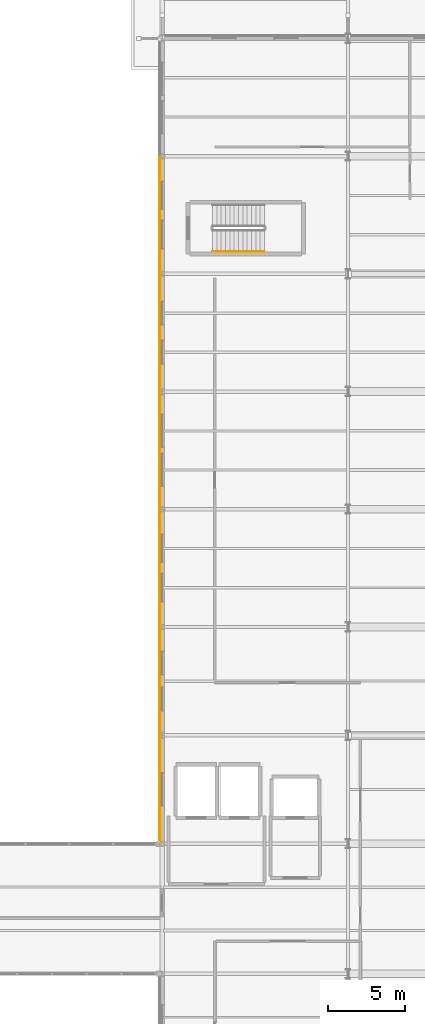
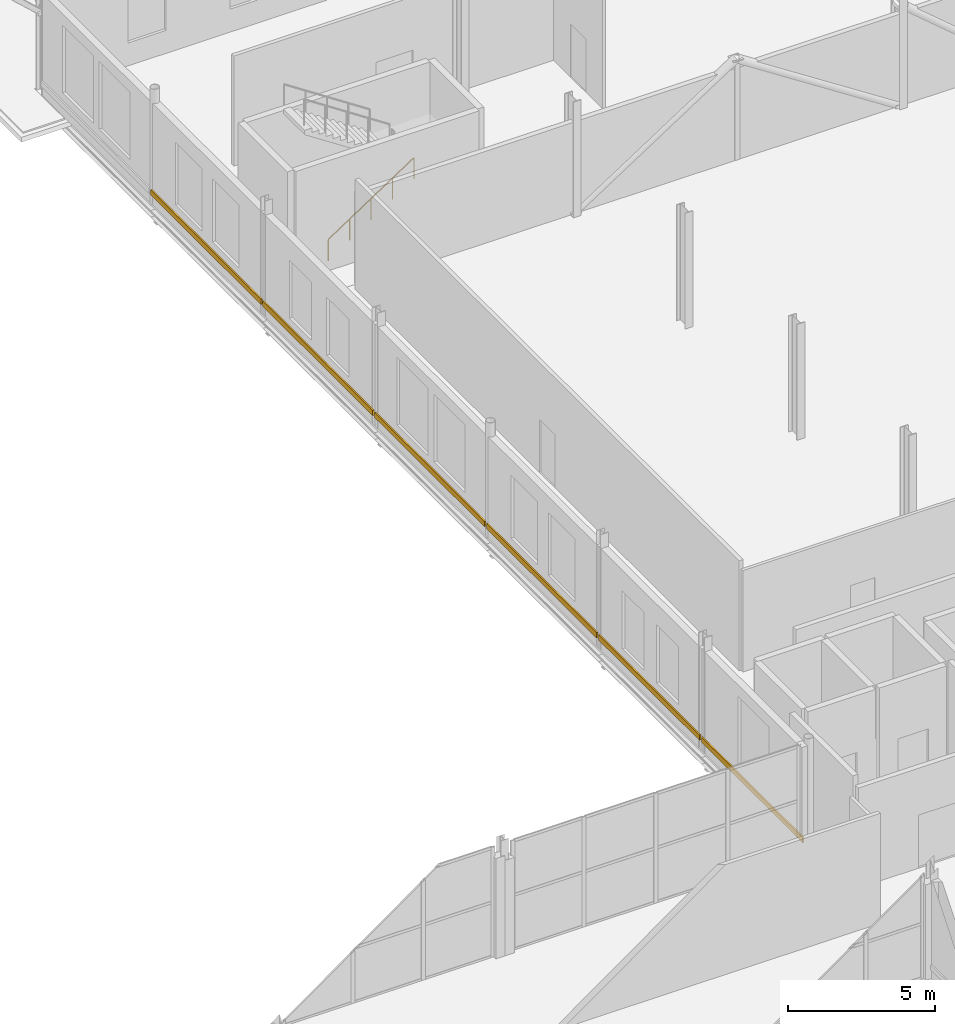
# One storey, part 118 of 120: 6 coverings, 1 railing.
"""IFC4 building model written with IfcOpenShell, lengths in metres."""

import ifcopenshell
import ifcopenshell.guid

model = None  # the IFC model being written
_history = None  # IfcOwnerHistory: only IFC2X3 demands one
_inside = {}  # id of a spatial element -> (the spatial element, [elements in it])
_under = {}  # id of a project, library or spatial element -> (it, [spatial elements below it])
_declared = {}  # id of a project -> (the project, [libraries it declares])
_typed = {}  # id of a type object -> (the type object, [elements of that type])
_made_of = {}  # id of a material, layer set ... -> (it, [elements and type objects made of it])


def new_model(schema):
    """Start an empty IFC model of exactly this schema.

    Asked for "IFC4X3", IfcOpenShell would pick the latest addendum, in which some entities
    have other attributes; the version numbers below select the first issue.
    IFC2X3 requires an IfcOwnerHistory on every rooted entity: one is made here for all.
    """
    global model, _history
    if schema == "IFC4X3":
        model = ifcopenshell.file(schema_version=(4, 3, 0, 0))
    else:
        model = ifcopenshell.file(schema=schema)
    _inside.clear()
    _under.clear()
    _declared.clear()
    _typed.clear()
    _made_of.clear()
    _history = None
    if model.schema == "IFC2X3":
        org = make("IfcOrganization", Name="unknown")
        user = make(
            "IfcPersonAndOrganization",
            ThePerson=make("IfcPerson", FamilyName="unknown"),
            TheOrganization=org,
        )
        app = make(
            "IfcApplication",
            ApplicationDeveloper=org,
            Version="unknown",
            ApplicationFullName="unknown",
            ApplicationIdentifier="unknown",
        )
        _history = make(
            "IfcOwnerHistory",
            OwningUser=user,
            OwningApplication=app,
            ChangeAction="ADDED",
            CreationDate=0,
        )
    return model


def make(cls, **values):
    """One entity of the class cls with the attributes given. An attribute that is None is left unset."""
    return model.create_entity(
        cls, **{name: value for name, value in values.items() if value is not None}
    )


def rooted(cls, **values):
    """An entity with a GlobalId (a new one), such as an element, a storey or a relation."""
    return make(cls, GlobalId=ifcopenshell.guid.new(), OwnerHistory=_history, **values)


def si_unit(unit_type, name, prefix=None):
    """IfcSIUnit, for example si_unit("LENGTHUNIT", "METRE", prefix="MILLI")."""
    return make("IfcSIUnit", UnitType=unit_type, Prefix=prefix, Name=name)


def assignment(units):
    """IfcUnitAssignment: the units of a project."""
    return None if units is None else make("IfcUnitAssignment", Units=units)


def point(xyz):
    """IfcCartesianPoint."""
    return None if xyz is None else make("IfcCartesianPoint", Coordinates=xyz)


def direction(xyz):
    """IfcDirection."""
    return None if xyz is None else make("IfcDirection", DirectionRatios=xyz)


def frame(location, z_axis=None, x_axis=None):
    """IfcAxis2Placement3D, a coordinate frame: its origin and axes. An axis left out is left unset."""
    return make(
        "IfcAxis2Placement3D",
        Location=point(location),
        Axis=direction(z_axis),
        RefDirection=direction(x_axis),
    )


def frame_2d(location, x_axis=None):
    """IfcAxis2Placement2D, a coordinate frame in the plane: its origin and x axis."""
    return make(
        "IfcAxis2Placement2D", Location=point(location), RefDirection=direction(x_axis)
    )


def origin():
    """The frame at (0, 0, 0) with its axes left unset."""
    return frame((0.0, 0.0, 0.0))


def origin_2d():
    """The frame at (0, 0) in the plane with its x axis left unset."""
    return frame_2d((0.0, 0.0))


def place(relative_to, where):
    """IfcLocalPlacement: puts the frame where relative to a parent placement (None: the world)."""
    return make(
        "IfcLocalPlacement", PlacementRelTo=relative_to, RelativePlacement=where
    )


def context(
    kind, dimensions, precision=None, world=None, true_north=None, identifier=None
):
    """IfcGeometricRepresentationContext, for example the 3D "Model" context."""
    return make(
        "IfcGeometricRepresentationContext",
        ContextIdentifier=identifier,
        ContextType=kind,
        CoordinateSpaceDimension=dimensions,
        Precision=precision,
        WorldCoordinateSystem=world,
        TrueNorth=true_north,
    )


def subcontext(parent, identifier, kind, view, scale=None):
    """IfcGeometricRepresentationSubContext, for example "Body" below "Model"."""
    return make(
        "IfcGeometricRepresentationSubContext",
        ContextIdentifier=identifier,
        ContextType=kind,
        ParentContext=parent,
        TargetScale=scale,
        TargetView=view,
    )


def project(units=None, contexts=None):
    """IfcProject with its units and contexts."""
    return rooted(
        "IfcProject",
        Name="project",
        RepresentationContexts=contexts,
        UnitsInContext=assignment(units),
    )


def spatial(cls, under=None, at=None, **own):
    """A site, building, storey or space (cls), placed at a placement, below another one or the project."""
    s = rooted(cls, ObjectPlacement=at, **own)
    if under is not None:
        _under.setdefault(under.id(), (under, []))[1].append(s)
    return s


def profile(cls, at=None, kind="AREA", **sizes):
    """A parametric profile (cls). Its sizes go by their IFC names, for example OverallWidth=200.0."""
    return make(cls, ProfileType=kind, Position=at, **sizes)


def rectangle(**sizes):
    """IfcRectangleProfileDef."""
    return profile("IfcRectangleProfileDef", **sizes)


def circle(**sizes):
    """IfcCircleProfileDef."""
    return profile("IfcCircleProfileDef", **sizes)


def extrude(swept, where, along, depth):
    """IfcExtrudedAreaSolid: the profile swept, set in the frame where, extruded along a direction by depth."""
    return make(
        "IfcExtrudedAreaSolid",
        SweptArea=swept,
        Position=where,
        ExtrudedDirection=direction(along),
        Depth=depth,
    )


def shape(context_of_items, identifier, shape_type, items):
    """IfcShapeRepresentation: the items that make up one representation, for example the "Body"."""
    return make(
        "IfcShapeRepresentation",
        ContextOfItems=context_of_items,
        RepresentationIdentifier=identifier,
        RepresentationType=shape_type,
        Items=items,
    )


def material(Name=None, Category=None):
    """IfcMaterial."""
    return make("IfcMaterial", Name=Name, Category=Category)


def layer(
    of_material, thickness, ventilated=None, Name=None, Category=None, Priority=None
):
    """IfcMaterialLayer: one layer of a wall or slab, of a material (None: an air gap)."""
    return make(
        "IfcMaterialLayer",
        Material=of_material,
        LayerThickness=thickness,
        IsVentilated=ventilated,
        Name=Name,
        Category=Category,
        Priority=Priority,
    )


def layer_set(layers, Name=None):
    """IfcMaterialLayerSet."""
    return make("IfcMaterialLayerSet", MaterialLayers=layers, LayerSetName=Name)


def made_of(thing, what):
    """Note that an element or type object is made of a material, layer set ...; save() writes the relation."""
    if what is not None:
        _made_of.setdefault(what.id(), (what, []))[1].append(thing)
    return thing


def type_object(cls, material=None, **own):
    """A type object (cls), such as IfcWallType, which elements share."""
    return made_of(rooted(cls, **own), material)


def element(
    cls,
    number,
    at=None,
    inside=None,
    cuts=None,
    type_object=None,
    material=None,
    context=None,
    identifier="Body",
    shape_type=None,
    held_by="IfcProductDefinitionShape",
    body=None,
    shapes=None,
    **own,
):
    """One element of the class cls, such as IfcWall. Its Tag is "e" and its number.

    at: its placement. inside: the storey or other place that contains it. cuts: it is an
    opening in that element (IfcRelVoidsElement). A single representation is given by context,
    identifier, shape_type and body (its items); several are given by shapes. held_by: the class
    of the entity that holds the representations. save() writes the other relations.
    """
    e = rooted(cls, Tag="e%d" % number, ObjectPlacement=at, **own)
    if body is not None:
        shapes = [shape(context, identifier, shape_type, body)]
    if shapes is not None:
        e.Representation = make(held_by, Representations=shapes)
    if inside is not None:
        _inside.setdefault(inside.id(), (inside, []))[1].append(e)
    if cuts is not None:
        rooted(
            "IfcRelVoidsElement", RelatingBuildingElement=cuts, RelatedOpeningElement=e
        )
    if type_object is not None:
        _typed.setdefault(type_object.id(), (type_object, []))[1].append(e)
    return made_of(e, material)


def aggregate(whole, parts):
    """IfcRelAggregates: a whole, such as a stair, and the parts it consists of."""
    return rooted("IfcRelAggregates", RelatingObject=whole, RelatedObjects=parts)


def save(model, path):
    """Write the relations noted so far, then the file.

    IfcRelAggregates (storeys below a building ...), IfcRelContainedInSpatialStructure (elements
    in a storey), IfcRelDefinesByType, IfcRelAssociatesMaterial and IfcRelDeclares: one each for
    every whole, place, type object, material and project.
    """
    for whole, parts in _under.values():
        aggregate(whole, parts)
    for where, things in _inside.values():
        rooted(
            "IfcRelContainedInSpatialStructure",
            RelatedElements=things,
            RelatingStructure=where,
        )
    for kind, things in _typed.values():
        rooted("IfcRelDefinesByType", RelatedObjects=things, RelatingType=kind)
    for what, things in _made_of.values():
        rooted("IfcRelAssociatesMaterial", RelatedObjects=things, RelatingMaterial=what)
    for by, libraries in _declared.values():
        rooted("IfcRelDeclares", RelatingContext=by, RelatedDefinitions=libraries)
    model.write(path)


model = new_model("IFC4")

# Units and contexts
model_context = context("Model", 3, precision=1e-05, world=origin(), true_north=direction((0.0, 1.0)))
body_context = subcontext(model_context, "Body", "Model", "MODEL_VIEW")
ifc_project = project(units=[si_unit("LENGTHUNIT", "METRE"), si_unit("AREAUNIT", "SQUARE_METRE"), si_unit("VOLUMEUNIT", "CUBIC_METRE"), si_unit("PLANEANGLEUNIT", "RADIAN"), si_unit("MASSUNIT", "GRAM", prefix="KILO")], contexts=[model_context])

# Site, building, storey
site_placement = place(None, origin())
site = spatial("IfcSite", under=ifc_project, at=site_placement, CompositionType="ELEMENT")
building_placement = place(site_placement, origin())
building = spatial("IfcBuilding", under=site, at=building_placement, Name="Vekula Escarpment Museum", CompositionType="ELEMENT")
storey_placement = place(building_placement, frame((0.0, 0.0, 13.199951171875)))
storey = spatial("IfcBuildingStorey", under=building, at=storey_placement, Name="L03", CompositionType="ELEMENT", Elevation=13.199951171875)

# Coverings
ifc_material_1 = material(Name="Polychrome limestone almasik string-course band", Category="masonry")
ifc_layer = layer(ifc_material_1, 0.06005859375)
ifc_layer_set = layer_set([ifc_layer], Name="Polychrome limestone almasik string-course band")
covering_type = type_object("IfcCoveringType", Name="COV-ALM-BAND", PredefinedType="CLADDING", material=ifc_layer_set)
for number, where, z_axis, x_axis, name in (
    (1, (166.833984375, 117.0, 0.41015625), (0.0, 0.0, 1.0), (0.0, 1.0, 0.0), "Almasik Stone String Course L03-0531"),
    (2, (166.833984375, 109.39990234375, 0.41015625), (0.0, 0.0, 1.0), (0.0, 1.0, 0.0), "Almasik Stone String Course L03-0532"),
    (3, (166.833984375, 101.800048828125, 0.41015625), (0.0, 0.0, 1.0), (0.0, 1.0, 0.0), "Almasik Stone String Course L03-0533"),
    (4, (166.833984375, 94.199951171875, 0.41015625), (0.0, 0.0, 1.0), (0.0, 1.0, 0.0), "Almasik Stone String Course L03-0534"),
):
    element("IfcCovering", number, at=place(storey_placement, frame(where, z_axis=z_axis, x_axis=x_axis)), inside=storey, type_object=covering_type, Name=name, PredefinedType="CLADDING", context=body_context, shape_type="SweptSolid", body=[
        extrude(rectangle(XDim=7.47998046875, YDim=0.06005859375, at=origin_2d()), origin(), (0.0, 0.0, 1.0), 0.219970703125),
    ])
for number, where, z_axis, x_axis, name in (
    (5, (166.833984375, 86.89990234375, 0.41015625), (0.0, 0.0, 1.0), (0.0, 1.0, 0.0), "Almasik Stone String Course L03-0535"),
    (6, (166.833984375, 79.89990234375, 0.41015625), (0.0, 0.0, 1.0), (0.0, 1.0, 0.0), "Almasik Stone String Course L03-0536"),
):
    element("IfcCovering", number, at=place(storey_placement, frame(where, z_axis=z_axis, x_axis=x_axis)), inside=storey, type_object=covering_type, Name=name, PredefinedType="CLADDING", context=body_context, shape_type="SweptSolid", body=[
        extrude(rectangle(XDim=6.8798828125, YDim=0.06005859375, at=origin_2d()), origin(), (0.0, 0.0, 1.0), 0.219970703125),
    ])

# Railing
ifc_material_2 = material(Name="Brushed stainless steel handrail", Category="steel")
railing_type = type_object("IfcRailingType", Name="RL-STAIR-HAND", PredefinedType="HANDRAIL", material=ifc_material_2)
railing_placement = place(storey_placement, frame((170.25, 114.64990234375, 0.1845703125)))
element("IfcRailing", 7, at=railing_placement, inside=storey, type_object=railing_type, Name="L03 ST-05 stair handrail 1", PredefinedType="HANDRAIL", context=body_context, shape_type="SweptSolid", body=[
    extrude(circle(Radius=0.02392578125, at=origin_2d()), frame((0.0, 0.0, 0.8759765625), z_axis=(0.834848600103, 0.0, 0.550479622607), x_axis=(0.0, 1.0, 0.0)), (0.0, 0.0, 1.0), 4.02490234375),
    extrude(circle(Radius=0.02099609375, at=origin_2d()), origin(), (0.0, 0.0, 1.0), 0.851806640625),
    extrude(circle(Radius=0.02099609375, at=origin_2d()), frame((0.840087890625, 0.0, 0.553955078125)), (0.0, 0.0, 1.0), 0.851806640625),
    extrude(circle(Radius=0.02099609375, at=origin_2d()), frame((1.68017578125, 0.0, 1.10791015625)), (0.0, 0.0, 1.0), 0.851806640625),
    extrude(circle(Radius=0.02099609375, at=origin_2d()), frame((2.52001953125, 0.0, 1.66162109375)), (0.0, 0.0, 1.0), 0.851806640625),
    extrude(circle(Radius=0.02099609375, at=origin_2d()), frame((3.360107421875, 0.0, 2.215576171875)), (0.0, 0.0, 1.0), 0.851806640625),
])

save(model, "model.ifc")
